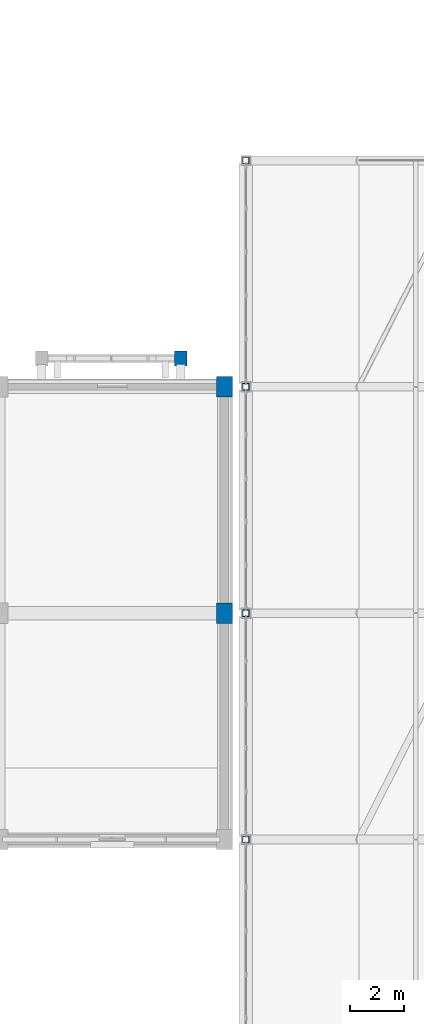
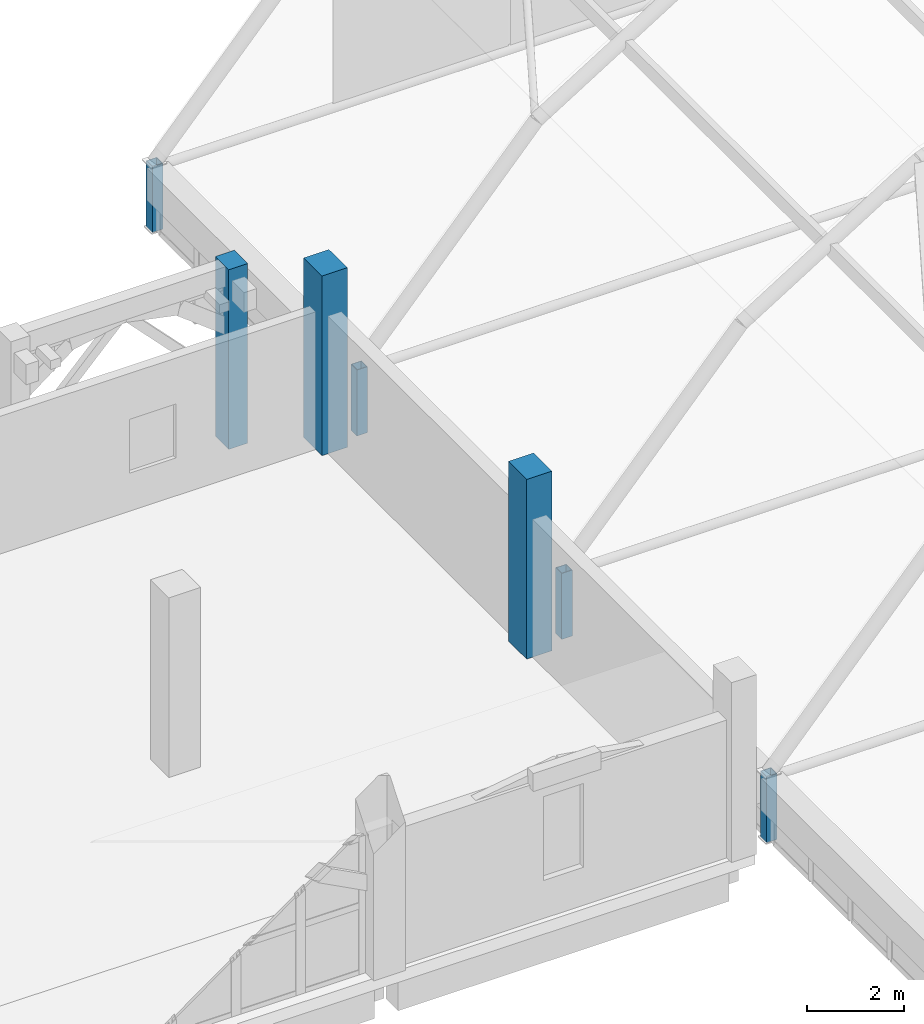
# One storey, part 6 of 114: 7 columns.
"""IFC4 building model written with IfcOpenShell, lengths in metres."""

from ifc_helpers import new_model, si_unit, direction, frame, origin, origin_2d, place, context, subcontext, project, spatial, rectangle, hollow_rectangle, extrude, material, material_profile, profile_set, type_object, element, save


model = new_model("IFC4")

# Units and contexts
model_context = context("Model", 3, precision=1e-05, world=origin(), true_north=direction((0.0, 1.0)))
body_context = subcontext(model_context, "Body", "Model", "MODEL_VIEW")
ifc_project = project(units=[si_unit("LENGTHUNIT", "METRE"), si_unit("AREAUNIT", "SQUARE_METRE"), si_unit("VOLUMEUNIT", "CUBIC_METRE"), si_unit("PLANEANGLEUNIT", "RADIAN"), si_unit("MASSUNIT", "GRAM", prefix="KILO")], contexts=[model_context])

# Site, building, storey
site_placement = place(None, origin())
site = spatial("IfcSite", under=ifc_project, at=site_placement, CompositionType="ELEMENT")
building_placement = place(site_placement, origin())
building = spatial("IfcBuilding", under=site, at=building_placement, Name="Xazarin Passage Department Store", CompositionType="ELEMENT")
storey_placement = place(building_placement, frame((0.0, 0.0, 14.39990234375)))
storey = spatial("IfcBuildingStorey", under=building, at=storey_placement, Name="L03", CompositionType="ELEMENT", Elevation=14.39990234375)

# Columns
ifc_material_1 = material(Name="Steel S355", Category="steel")
ifc_material_profile_1 = material_profile(ifc_material_1, hollow_rectangle(XDim=0.25, YDim=0.25, WallThickness=0.012451171875, at=origin_2d()), Name="SHS 250x250x12.5")
ifc_profile_set_1 = profile_set([ifc_material_profile_1], Name="Steel S355")
column_type_1 = type_object("IfcColumnType", Name="STR-COL-DRM250", PredefinedType="COLUMN", material=ifc_profile_set_1)
for number, where, z_axis, x_axis, name in (
    (1, (68.0, 68.0, 0.0), (0.0, 0.0, 1.0), (1.0, 0.0, 0.0), "V2N Gridshell Drum Column W-3"),
    (2, (68.0, 76.39990234375, 0.0), (0.0, 0.0, 1.0), (1.0, 0.0, 0.0), "V2N Gridshell Drum Column W-4"),
    (3, (68.0, 84.800048828125, 0.0), (0.0, 0.0, 1.0), (1.0, 0.0, 0.0), "V2N Gridshell Drum Column W-5"),
    (4, (68.0, 93.199951171875, 0.0), (0.0, 0.0, 1.0), (1.0, 0.0, 0.0), "V2N Gridshell Drum Column W-6"),
):
    element("IfcColumn", number, at=place(storey_placement, frame(where, z_axis=z_axis, x_axis=x_axis)), inside=storey, type_object=column_type_1, Name=name, PredefinedType="COLUMN", context=body_context, shape_type="SweptSolid", body=[
        extrude(hollow_rectangle(XDim=0.25, YDim=0.25, WallThickness=0.012451171875, at=origin_2d()), origin(), (0.0, 0.0, 1.0), 1.65185546875),
    ])
ifc_material_2 = material(Name="Concrete C40/50", Category="concrete")
ifc_material_profile_2 = material_profile(ifc_material_2, rectangle(XDim=0.60009765625, YDim=0.75, at=origin_2d()), Name="RC 600x750")
ifc_profile_set_2 = profile_set([ifc_material_profile_2], Name="Concrete C40/50")
column_type_2 = type_object("IfcColumnType", Name="STR-COL-SJ750", PredefinedType="COLUMN", material=ifc_profile_set_2)
for number, where, z_axis, x_axis, name in (
    (5, (67.199951171875, 76.39990234375, 0.0), (0.0, 0.0, 1.0), (1.0, 0.0, 0.0), "L03 Column 9/L"),
    (6, (67.199951171875, 84.800048828125, 0.0), (0.0, 0.0, 1.0), (1.0, 0.0, 0.0), "L03 Column 9/M"),
):
    element("IfcColumn", number, at=place(storey_placement, frame(where, z_axis=z_axis, x_axis=x_axis)), inside=storey, type_object=column_type_2, Name=name, PredefinedType="COLUMN", context=body_context, shape_type="SweptSolid", body=[
        extrude(rectangle(XDim=0.60009765625, YDim=0.75, at=origin_2d()), origin(), (0.0, 0.0, 1.0), 4.5),
    ])
ifc_material_profile_3 = material_profile(ifc_material_2, rectangle(XDim=0.449951171875, YDim=0.550048828125, at=origin_2d()), Name="RC 450x550")
ifc_profile_set_3 = profile_set([ifc_material_profile_3], Name="Concrete C40/50")
column_type_3 = type_object("IfcColumnType", Name="STR-PIL-RC450", PredefinedType="PILASTER", material=ifc_profile_set_3)
column_placement = place(storey_placement, frame((65.580078125, 85.85009765625, 0.0), z_axis=(0.0, 0.0, 1.0), x_axis=(1.0, 0.0, 0.0)))
element("IfcColumn", 7, at=column_placement, inside=storey, type_object=column_type_3, Name="L03 V1 Pierced-Arch Colonnade Pier 007R", PredefinedType="PILASTER", context=body_context, shape_type="SweptSolid", body=[
    extrude(rectangle(XDim=0.449951171875, YDim=0.550048828125, at=origin_2d()), origin(), (0.0, 0.0, 1.0), 4.5),
])

save(model, "model.ifc")
